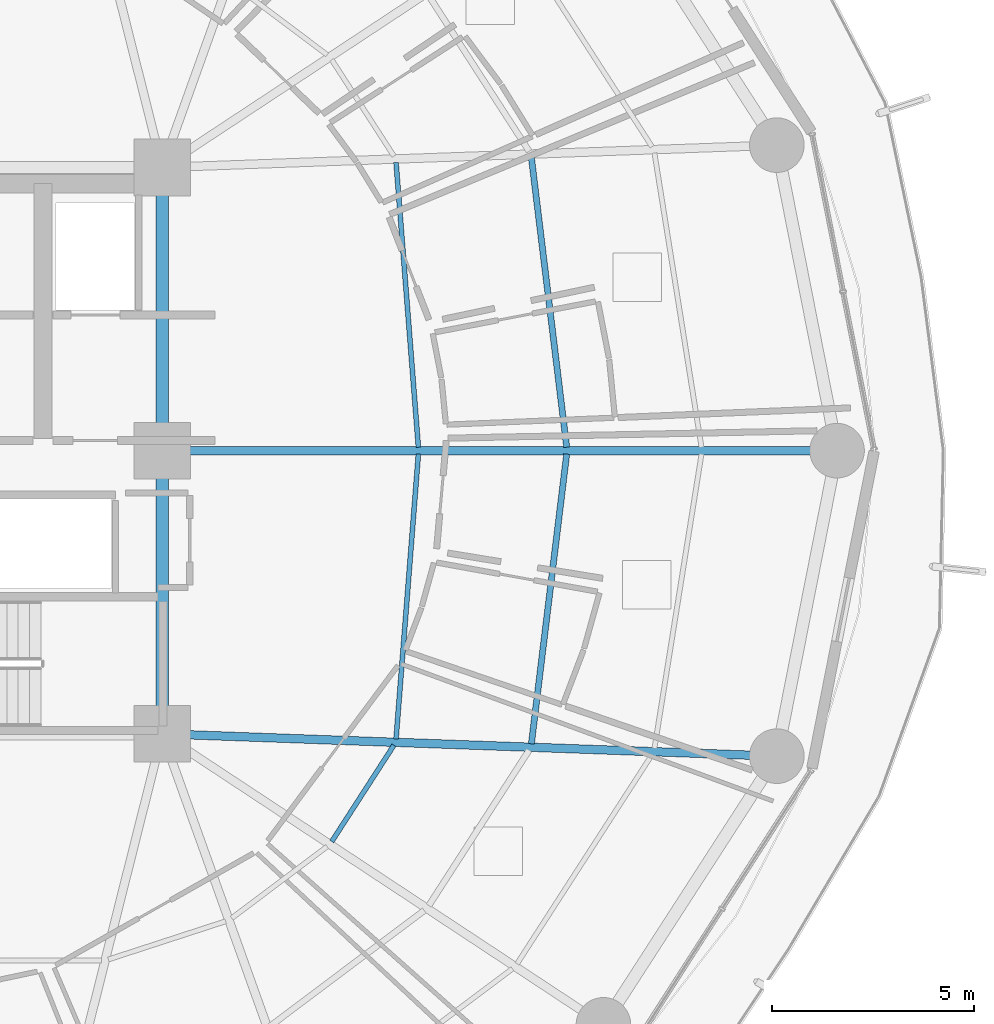
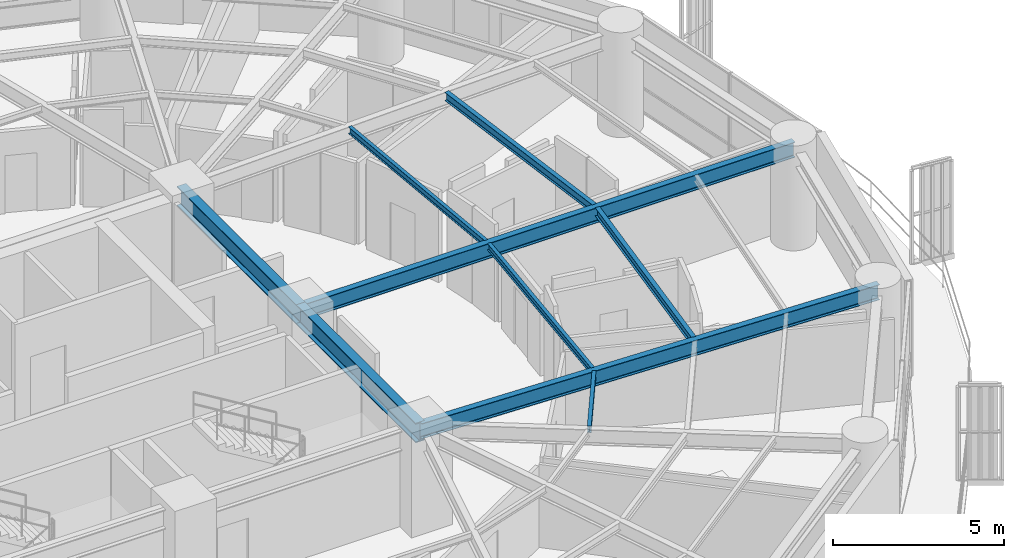
# One storey, part 14 of 35: 9 beams.
"""IFC4 building model written with IfcOpenShell, lengths in metres."""

from ifc_helpers import new_model, si_unit, direction, frame, origin, origin_2d, place, context, subcontext, project, spatial, i_section, extrude, material, material_profile, profile_set, type_object, element, save


model = new_model("IFC4")

# Units and contexts
model_context = context("Model", 3, precision=1e-05, world=origin(), true_north=direction((0.0, 1.0)))
body_context = subcontext(model_context, "Body", "Model", "MODEL_VIEW")
ifc_project = project(units=[si_unit("LENGTHUNIT", "METRE"), si_unit("AREAUNIT", "SQUARE_METRE"), si_unit("VOLUMEUNIT", "CUBIC_METRE"), si_unit("PLANEANGLEUNIT", "RADIAN"), si_unit("MASSUNIT", "GRAM", prefix="KILO")], contexts=[model_context])

# Site, building, storey
site_placement = place(None, origin())
site = spatial("IfcSite", under=ifc_project, at=site_placement, CompositionType="ELEMENT")
building_placement = place(site_placement, origin())
building = spatial("IfcBuilding", under=site, at=building_placement, Name="Kelanora Arch Commons", CompositionType="ELEMENT")
storey_placement = place(building_placement, frame((0.0, 0.0, 87.60009765625)))
storey = spatial("IfcBuildingStorey", under=building, at=storey_placement, Name="L22", CompositionType="ELEMENT", Elevation=87.60009765625)

# Beams
ifc_material = material(Name="Steel S355", Category="steel")
ifc_material_profile_1 = material_profile(ifc_material, i_section(OverallWidth=0.300048828125, OverallDepth=0.699951171875, WebThickness=0.01708984375, FlangeThickness=0.031982421875, FilletRadius=0.027099609375, at=origin_2d()), Name="HEB700")
ifc_profile_set_1 = profile_set([ifc_material_profile_1], Name="Steel S355")
beam_type_1 = type_object("IfcBeamType", Name="BM-CORE-HDR", PredefinedType="BEAM", material=ifc_profile_set_1)
for number, where, z_axis, x_axis, name in (
    (1, (82.0, 51.0, 3.139892578125), (0.0, 1.0, 0.0), (-1.0, 0.0, 0.0), "Core Header Beam 03 L22"),
    (2, (82.0, 58.0, 3.139892578125), (0.0, 1.0, 0.0), (-1.0, 0.0, 0.0), "Core Header Beam 04 L22"),
):
    element("IfcBeam", number, at=place(storey_placement, frame(where, z_axis=z_axis, x_axis=x_axis)), inside=storey, type_object=beam_type_1, Name=name, PredefinedType="BEAM", context=body_context, shape_type="SweptSolid", body=[
        extrude(i_section(OverallWidth=0.300048828125, OverallDepth=0.699951171875, WebThickness=0.01708984375, FlangeThickness=0.031982421875, FilletRadius=0.027099609375, at=origin_2d()), origin(), (0.0, 0.0, 1.0), 7.0),
    ])
ifc_material_profile_2 = material_profile(ifc_material, i_section(OverallWidth=0.14990234375, OverallDepth=0.300048828125, WebThickness=0.007080078125, FlangeThickness=0.0107421875, FilletRadius=0.014892578125, at=origin_2d()), Name="IPE300")
ifc_profile_set_2 = profile_set([ifc_material_profile_2], Name="Steel S355")
beam_type_2 = type_object("IfcBeamType", Name="BM-JST-01", PredefinedType="JOIST", material=ifc_profile_set_2)
for number, where, z_axis, x_axis, name in (
    (3, (91.997802734375, 58.08447265625, 3.33984375), (-0.120935645266, 0.992660349618, 0.0), (-0.992660349618, -0.120935645266, 0.0), "Secondary Chord Joist BJB-00 L22"),
    (4, (91.125244140625, 50.75341796875, 3.33984375), (0.120935645266, 0.992660349618, 0.0), (-0.992660349618, 0.120935645266, 0.0), "Secondary Chord Joist BJB-34 L22"),
):
    element("IfcBeam", number, at=place(storey_placement, frame(where, z_axis=z_axis, x_axis=x_axis)), inside=storey, type_object=beam_type_2, Name=name, PredefinedType="JOIST", context=body_context, shape_type="SweptSolid", body=[
        extrude(i_section(OverallWidth=0.14990234375, OverallDepth=0.300048828125, WebThickness=0.007080078125, FlangeThickness=0.0107421875, FilletRadius=0.014892578125, at=origin_2d()), origin(), (0.0, 0.0, 1.0), 7.215087890625),
    ])
ifc_material_profile_3 = material_profile(ifc_material, i_section(OverallWidth=0.1201171875, OverallDepth=0.239990234375, WebThickness=0.006103515625, FlangeThickness=0.009765625, FilletRadius=0.014892578125, at=origin_2d()), Name="IPE240")
ifc_profile_set_3 = profile_set([ifc_material_profile_3], Name="Steel S355")
beam_type_3 = type_object("IfcBeamType", Name="BM-JST-02", PredefinedType="JOIST", material=ifc_profile_set_3)
beam_1_placement = place(storey_placement, frame((88.331787109375, 58.084716796875, 3.369873046875), z_axis=(-0.078200677502, 0.996937637989, 0.0), x_axis=(-0.996937637989, -0.078200677502, 0.0)))
element("IfcBeam", 5, at=beam_1_placement, inside=storey, type_object=beam_type_3, Name="Secondary Chord Joist BJA-00 L22", PredefinedType="JOIST", context=body_context, shape_type="SweptSolid", body=[
    extrude(i_section(OverallWidth=0.1201171875, OverallDepth=0.239990234375, WebThickness=0.006103515625, FlangeThickness=0.009765625, FilletRadius=0.014892578125, at=origin_2d()), origin(), (0.0, 0.0, 1.0), 7.06201171875),
])
beam_2_placement = place(storey_placement, frame((86.1904296875, 48.338134765625, 3.369873046875), z_axis=(0.542211255502, 0.840242199849, 0.0), x_axis=(-0.840242199849, 0.542211255502, 0.0)))
element("IfcBeam", 6, at=beam_2_placement, inside=storey, type_object=beam_type_3, Name="Secondary Chord Joist BJA-32 L22", PredefinedType="JOIST", context=body_context, shape_type="SweptSolid", body=[
    extrude(i_section(OverallWidth=0.1201171875, OverallDepth=0.239990234375, WebThickness=0.006103515625, FlangeThickness=0.009765625, FilletRadius=0.014892578125, at=origin_2d()), origin(), (0.0, 0.0, 1.0), 2.83349609375),
])
beam_3_placement = place(storey_placement, frame((87.779541015625, 50.875, 3.369873046875), z_axis=(0.078200677502, 0.996937637989, 0.0), x_axis=(-0.996937637989, 0.078200677502, 0.0)))
element("IfcBeam", 7, at=beam_3_placement, inside=storey, type_object=beam_type_3, Name="Secondary Chord Joist BJA-34 L22", PredefinedType="JOIST", context=body_context, shape_type="SweptSolid", body=[
    extrude(i_section(OverallWidth=0.1201171875, OverallDepth=0.239990234375, WebThickness=0.006103515625, FlangeThickness=0.009765625, FilletRadius=0.014892578125, at=origin_2d()), origin(), (0.0, 0.0, 1.0), 7.06201171875),
])
ifc_material_profile_4 = material_profile(ifc_material, i_section(OverallWidth=0.2099609375, OverallDepth=0.550048828125, WebThickness=0.010986328125, FlangeThickness=0.01708984375, FilletRadius=0.02392578125, at=origin_2d()), Name="IPE550")
ifc_profile_set_4 = profile_set([ifc_material_profile_4], Name="Steel S355")
beam_type_4 = type_object("IfcBeamType", Name="BM-RAD-Z2", PredefinedType="BEAM", material=ifc_profile_set_4)
beam_4_placement = place(storey_placement, frame((82.0, 58.0, 3.21484375), z_axis=(1.0, 0.0, 0.0), x_axis=(0.0, 1.0, 0.0)))
element("IfcBeam", 8, at=beam_4_placement, inside=storey, type_object=beam_type_4, Name="Radial Floor Girder BR-00 L22", PredefinedType="BEAM", context=body_context, shape_type="SweptSolid", body=[
    extrude(i_section(OverallWidth=0.2099609375, OverallDepth=0.550048828125, WebThickness=0.010986328125, FlangeThickness=0.01708984375, FilletRadius=0.02392578125, at=origin_2d()), origin(), (0.0, 0.0, 1.0), 16.679931640625),
])
beam_5_placement = place(storey_placement, frame((82.0, 51.0, 3.21484375), z_axis=(0.999341087625, -0.036295875581, 0.0), x_axis=(0.036295875581, 0.999341087625, 0.0)))
element("IfcBeam", 9, at=beam_5_placement, inside=storey, type_object=beam_type_4, Name="Radial Floor Girder BR-34 L22", PredefinedType="BEAM", context=body_context, shape_type="SweptSolid", body=[
    extrude(i_section(OverallWidth=0.2099609375, OverallDepth=0.550048828125, WebThickness=0.010986328125, FlangeThickness=0.01708984375, FilletRadius=0.02392578125, at=origin_2d()), origin(), (0.0, 0.0, 1.0), 15.20166015625),
])

save(model, "model.ifc")
